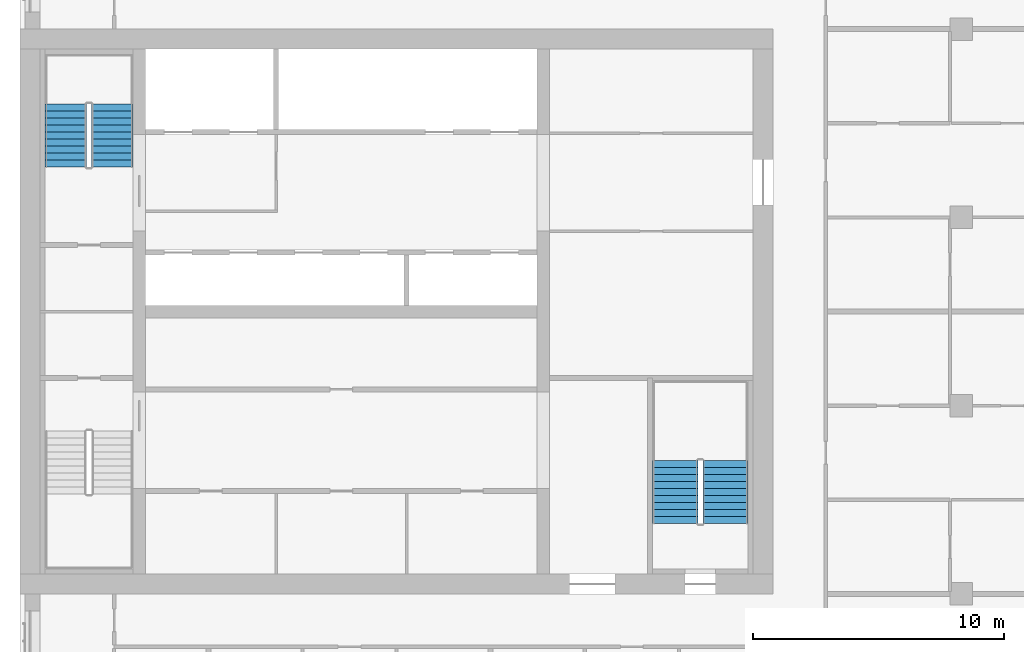
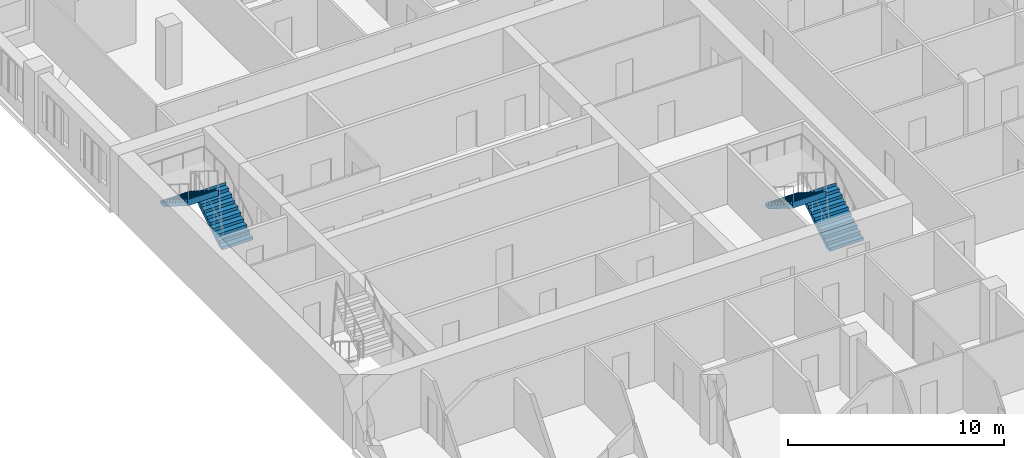
# One storey, part 13 of 14: 4 stair flights, 2 elements without a shape of their own.
"""IFC4 building model written with IfcOpenShell, lengths in metres."""

import ifcopenshell
import ifcopenshell.guid

model = None  # the IFC model being written
_history = None  # IfcOwnerHistory: only IFC2X3 demands one
_inside = {}  # id of a spatial element -> (the spatial element, [elements in it])
_under = {}  # id of a project, library or spatial element -> (it, [spatial elements below it])
_declared = {}  # id of a project -> (the project, [libraries it declares])
_typed = {}  # id of a type object -> (the type object, [elements of that type])
_made_of = {}  # id of a material, layer set ... -> (it, [elements and type objects made of it])


def new_model(schema):
    """Start an empty IFC model of exactly this schema.

    Asked for "IFC4X3", IfcOpenShell would pick the latest addendum, in which some entities
    have other attributes; the version numbers below select the first issue.
    IFC2X3 requires an IfcOwnerHistory on every rooted entity: one is made here for all.
    """
    global model, _history
    if schema == "IFC4X3":
        model = ifcopenshell.file(schema_version=(4, 3, 0, 0))
    else:
        model = ifcopenshell.file(schema=schema)
    _inside.clear()
    _under.clear()
    _declared.clear()
    _typed.clear()
    _made_of.clear()
    _history = None
    if model.schema == "IFC2X3":
        org = make("IfcOrganization", Name="unknown")
        user = make(
            "IfcPersonAndOrganization",
            ThePerson=make("IfcPerson", FamilyName="unknown"),
            TheOrganization=org,
        )
        app = make(
            "IfcApplication",
            ApplicationDeveloper=org,
            Version="unknown",
            ApplicationFullName="unknown",
            ApplicationIdentifier="unknown",
        )
        _history = make(
            "IfcOwnerHistory",
            OwningUser=user,
            OwningApplication=app,
            ChangeAction="ADDED",
            CreationDate=0,
        )
    return model


def make(cls, **values):
    """One entity of the class cls with the attributes given. An attribute that is None is left unset."""
    return model.create_entity(
        cls, **{name: value for name, value in values.items() if value is not None}
    )


def rooted(cls, **values):
    """An entity with a GlobalId (a new one), such as an element, a storey or a relation."""
    return make(cls, GlobalId=ifcopenshell.guid.new(), OwnerHistory=_history, **values)


def si_unit(unit_type, name, prefix=None):
    """IfcSIUnit, for example si_unit("LENGTHUNIT", "METRE", prefix="MILLI")."""
    return make("IfcSIUnit", UnitType=unit_type, Prefix=prefix, Name=name)


def assignment(units):
    """IfcUnitAssignment: the units of a project."""
    return None if units is None else make("IfcUnitAssignment", Units=units)


def point(xyz):
    """IfcCartesianPoint."""
    return None if xyz is None else make("IfcCartesianPoint", Coordinates=xyz)


def direction(xyz):
    """IfcDirection."""
    return None if xyz is None else make("IfcDirection", DirectionRatios=xyz)


def frame(location, z_axis=None, x_axis=None):
    """IfcAxis2Placement3D, a coordinate frame: its origin and axes. An axis left out is left unset."""
    return make(
        "IfcAxis2Placement3D",
        Location=point(location),
        Axis=direction(z_axis),
        RefDirection=direction(x_axis),
    )


def origin():
    """The frame at (0, 0, 0) with its axes left unset."""
    return frame((0.0, 0.0, 0.0))


def place(relative_to, where):
    """IfcLocalPlacement: puts the frame where relative to a parent placement (None: the world)."""
    return make(
        "IfcLocalPlacement", PlacementRelTo=relative_to, RelativePlacement=where
    )


def context(
    kind, dimensions, precision=None, world=None, true_north=None, identifier=None
):
    """IfcGeometricRepresentationContext, for example the 3D "Model" context."""
    return make(
        "IfcGeometricRepresentationContext",
        ContextIdentifier=identifier,
        ContextType=kind,
        CoordinateSpaceDimension=dimensions,
        Precision=precision,
        WorldCoordinateSystem=world,
        TrueNorth=true_north,
    )


def subcontext(parent, identifier, kind, view, scale=None):
    """IfcGeometricRepresentationSubContext, for example "Body" below "Model"."""
    return make(
        "IfcGeometricRepresentationSubContext",
        ContextIdentifier=identifier,
        ContextType=kind,
        ParentContext=parent,
        TargetScale=scale,
        TargetView=view,
    )


def project(units=None, contexts=None):
    """IfcProject with its units and contexts."""
    return rooted(
        "IfcProject",
        Name="project",
        RepresentationContexts=contexts,
        UnitsInContext=assignment(units),
    )


def spatial(cls, under=None, at=None, **own):
    """A site, building, storey or space (cls), placed at a placement, below another one or the project."""
    s = rooted(cls, ObjectPlacement=at, **own)
    if under is not None:
        _under.setdefault(under.id(), (under, []))[1].append(s)
    return s


def polyline(points):
    """IfcPolyline through the points."""
    return make("IfcPolyline", Points=[point(p) for p in points])


def outline(outer, holes=None, kind="AREA"):
    """IfcArbitraryClosedProfileDef: a profile drawn as a closed curve; with holes, ...WithVoids."""
    if holes is None:
        return make("IfcArbitraryClosedProfileDef", ProfileType=kind, OuterCurve=outer)
    return make(
        "IfcArbitraryProfileDefWithVoids",
        ProfileType=kind,
        OuterCurve=outer,
        InnerCurves=holes,
    )


def extrude(swept, where, along, depth):
    """IfcExtrudedAreaSolid: the profile swept, set in the frame where, extruded along a direction by depth."""
    return make(
        "IfcExtrudedAreaSolid",
        SweptArea=swept,
        Position=where,
        ExtrudedDirection=direction(along),
        Depth=depth,
    )


def shape(context_of_items, identifier, shape_type, items):
    """IfcShapeRepresentation: the items that make up one representation, for example the "Body"."""
    return make(
        "IfcShapeRepresentation",
        ContextOfItems=context_of_items,
        RepresentationIdentifier=identifier,
        RepresentationType=shape_type,
        Items=items,
    )


def material(Name=None, Category=None):
    """IfcMaterial."""
    return make("IfcMaterial", Name=Name, Category=Category)


def made_of(thing, what):
    """Note that an element or type object is made of a material, layer set ...; save() writes the relation."""
    if what is not None:
        _made_of.setdefault(what.id(), (what, []))[1].append(thing)
    return thing


def type_object(cls, material=None, **own):
    """A type object (cls), such as IfcWallType, which elements share."""
    return made_of(rooted(cls, **own), material)


def element(
    cls,
    number,
    at=None,
    inside=None,
    cuts=None,
    type_object=None,
    material=None,
    context=None,
    identifier="Body",
    shape_type=None,
    held_by="IfcProductDefinitionShape",
    body=None,
    shapes=None,
    **own,
):
    """One element of the class cls, such as IfcWall. Its Tag is "e" and its number.

    at: its placement. inside: the storey or other place that contains it. cuts: it is an
    opening in that element (IfcRelVoidsElement). A single representation is given by context,
    identifier, shape_type and body (its items); several are given by shapes. held_by: the class
    of the entity that holds the representations. save() writes the other relations.
    """
    e = rooted(cls, Tag="e%d" % number, ObjectPlacement=at, **own)
    if body is not None:
        shapes = [shape(context, identifier, shape_type, body)]
    if shapes is not None:
        e.Representation = make(held_by, Representations=shapes)
    if inside is not None:
        _inside.setdefault(inside.id(), (inside, []))[1].append(e)
    if cuts is not None:
        rooted(
            "IfcRelVoidsElement", RelatingBuildingElement=cuts, RelatedOpeningElement=e
        )
    if type_object is not None:
        _typed.setdefault(type_object.id(), (type_object, []))[1].append(e)
    return made_of(e, material)


def aggregate(whole, parts):
    """IfcRelAggregates: a whole, such as a stair, and the parts it consists of."""
    return rooted("IfcRelAggregates", RelatingObject=whole, RelatedObjects=parts)


def save(model, path):
    """Write the relations noted so far, then the file.

    IfcRelAggregates (storeys below a building ...), IfcRelContainedInSpatialStructure (elements
    in a storey), IfcRelDefinesByType, IfcRelAssociatesMaterial and IfcRelDeclares: one each for
    every whole, place, type object, material and project.
    """
    for whole, parts in _under.values():
        aggregate(whole, parts)
    for where, things in _inside.values():
        rooted(
            "IfcRelContainedInSpatialStructure",
            RelatedElements=things,
            RelatingStructure=where,
        )
    for kind, things in _typed.values():
        rooted("IfcRelDefinesByType", RelatedObjects=things, RelatingType=kind)
    for what, things in _made_of.values():
        rooted("IfcRelAssociatesMaterial", RelatedObjects=things, RelatingMaterial=what)
    for by, libraries in _declared.values():
        rooted("IfcRelDeclares", RelatingContext=by, RelatedDefinitions=libraries)
    model.write(path)


model = new_model("IFC4")

# Units and contexts
model_context = context("Model", 3, precision=1e-05, world=origin(), true_north=direction((0.0, 1.0)))
body_context = subcontext(model_context, "Body", "Model", "MODEL_VIEW")
ifc_project = project(units=[si_unit("LENGTHUNIT", "METRE"), si_unit("AREAUNIT", "SQUARE_METRE"), si_unit("VOLUMEUNIT", "CUBIC_METRE"), si_unit("PLANEANGLEUNIT", "RADIAN"), si_unit("MASSUNIT", "GRAM", prefix="KILO")], contexts=[model_context])

# Site, building, storey
site_placement = place(None, origin())
site = spatial("IfcSite", under=ifc_project, at=site_placement, CompositionType="ELEMENT")
building_placement = place(site_placement, origin())
building = spatial("IfcBuilding", under=site, at=building_placement, Name="Tamorin Gate", CompositionType="ELEMENT")
storey_placement = place(building_placement, frame((0.0, 0.0, 193.199951171875)))
storey = spatial("IfcBuildingStorey", under=building, at=storey_placement, Name="L47", CompositionType="ELEMENT", Elevation=193.199951171875)

# Stair, stair flights
ifc_material = material(Name="Concrete C40/50", Category="concrete")
stair_type = type_object("IfcStairType", Name="Exit stair", PredefinedType="HALF_TURN_STAIR", material=ifc_material)
stair_1_placement = place(storey_placement, origin())
stair_1 = element("IfcStair", 1, at=stair_1_placement, inside=storey, type_object=stair_type, Name="L47 stair ST2", PredefinedType="HALF_TURN_STAIR")
stair_flight_type = type_object("IfcStairFlightType", Name="Exit stair flight", PredefinedType="STRAIGHT", material=ifc_material)
stair_flight_1_placement = place(storey_placement, frame((33.675048828125, 77.0, 0.0), z_axis=(0.0, 0.0, 1.0), x_axis=(0.0, 1.0, 0.0)))
stair_flight_1 = element("IfcStairFlight", 2, at=stair_flight_1_placement, type_object=stair_flight_type, Name="ST2 flight 1", NumberOfRisers=10, NumberOfTreads=9, PredefinedType="STRAIGHT", RiserHeight=0.175, TreadLength=0.28, context=body_context, shape_type="SweptSolid", body=[
    extrude(outline(polyline([(-0.00048828125, 0.0), (-0.00048828125, 0.001708984375), (-0.00048828125, 0.00341796875), (-0.00048828125, 0.005126953125), (-0.00048828125, 0.0068359375), (-0.00048828125, 0.008544921875), (-0.00048828125, 0.010498046875), (-0.00048828125, 0.01220703125), (-0.00048828125, 0.013916015625), (-0.00048828125, 0.015625), (-0.00048828125, 0.017333984375), (-0.00048828125, 0.01904296875), (-0.00048828125, 0.020751953125), (-0.00048828125, 0.0224609375), (-0.00048828125, 0.024169921875), (-0.00048828125, 0.02587890625), (-0.00048828125, 0.02783203125), (-0.00048828125, 0.029541015625), (-0.00048828125, 0.03125), (-0.00048828125, 0.032958984375), (-0.00048828125, 0.03466796875), (-0.00048828125, 0.036376953125), (-0.00048828125, 0.0380859375), (-0.00048828125, 0.039794921875), (-0.00048828125, 0.04150390625), (-0.00048828125, 0.043212890625), (-0.00048828125, 0.045166015625), (-0.00048828125, 0.046875), (-0.00048828125, 0.048583984375), (-0.00048828125, 0.05029296875), (-0.00048828125, 0.052001953125), (-0.00048828125, 0.0537109375), (-0.00048828125, 0.055419921875), (-0.00048828125, 0.05712890625), (-0.00048828125, 0.058837890625), (-0.00048828125, 0.060546875), (-0.00048828125, 0.062255859375), (-0.00048828125, 0.064208984375), (-0.00048828125, 0.06591796875), (-0.00048828125, 0.067626953125), (-0.00048828125, 0.0693359375), (-0.00048828125, 0.071044921875), (-0.00048828125, 0.07275390625), (-0.00048828125, 0.074462890625), (-0.00048828125, 0.076171875), (-0.00048828125, 0.077880859375), (-0.00048828125, 0.07958984375), (-0.00048828125, 0.08154296875), (-0.00048828125, 0.083251953125), (-0.00048828125, 0.0849609375), (-0.00048828125, 0.086669921875), (-0.00048828125, 0.08837890625), (-0.00048828125, 0.090087890625), (-0.00048828125, 0.091796875), (-0.00048828125, 0.093505859375), (-0.00048828125, 0.09521484375), (-0.00048828125, 0.096923828125), (-0.00048828125, 0.098876953125), (-0.00048828125, 0.1005859375), (-0.00048828125, 0.102294921875), (-0.00048828125, 0.10400390625), (-0.00048828125, 0.105712890625), (-0.00048828125, 0.107421875), (-0.00048828125, 0.109130859375), (-0.00048828125, 0.11083984375), (-0.00048828125, 0.112548828125), (-0.00048828125, 0.1142578125), (-0.00048828125, 0.1162109375), (-0.00048828125, 0.117919921875), (-0.00048828125, 0.11962890625), (-0.00048828125, 0.121337890625), (-0.00048828125, 0.123046875), (-0.00048828125, 0.124755859375), (-0.00048828125, 0.12646484375), (-0.00048828125, 0.128173828125), (-0.00048828125, 0.1298828125), (-0.00048828125, 0.131591796875), (-0.00048828125, 0.13330078125), (-0.00048828125, 0.13525390625), (-0.00048828125, 0.136962890625), (-0.00048828125, 0.138671875), (-0.00048828125, 0.140380859375), (-0.00048828125, 0.14208984375), (-0.00048828125, 0.143798828125), (-0.00048828125, 0.1455078125), (-0.00048828125, 0.147216796875), (-0.00048828125, 0.14892578125), (-0.00048828125, 0.150634765625), (-0.00048828125, 0.152587890625), (-0.00048828125, 0.154296875), (-0.00048828125, 0.156005859375), (-0.00048828125, 0.15771484375), (-0.00048828125, 0.159423828125), (-0.00048828125, 0.1611328125), (-0.00048828125, 0.162841796875), (-0.00048828125, 0.16455078125), (-0.00048828125, 0.166259765625), (-0.00048828125, 0.16796875), (-0.00048828125, 0.169921875), (-0.00048828125, 0.171630859375), (-0.00048828125, 0.17333984375), (-0.00048828125, 0.175048828125), (0.280029296875, 0.175048828125), (0.280029296875, 0.35009765625), (0.56005859375, 0.35009765625), (0.56005859375, 0.52490234375), (0.840087890625, 0.52490234375), (0.840087890625, 0.699951171875), (1.1201171875, 0.699951171875), (1.1201171875, 0.875), (1.39990234375, 0.875), (1.39990234375, 1.050048828125), (1.679931640625, 1.050048828125), (1.679931640625, 1.22509765625), (1.9599609375, 1.22509765625), (1.9599609375, 1.39990234375), (2.239990234375, 1.39990234375), (2.239990234375, 1.574951171875), (2.52001953125, 1.574951171875), (2.52001953125, 1.75), (2.5205078125, 1.75), (2.5205078125, 1.74658203125), (2.5205078125, 1.742919921875), (2.5205078125, 1.739501953125), (2.5205078125, 1.736083984375), (2.5205078125, 1.732666015625), (2.5205078125, 1.72900390625), (2.5205078125, 1.7255859375), (2.5205078125, 1.72216796875), (2.5205078125, 1.71875), (2.5205078125, 1.715087890625), (2.5205078125, 1.711669921875), (2.5205078125, 1.708251953125), (2.5205078125, 1.704833984375), (2.5205078125, 1.701171875), (2.5205078125, 1.69775390625), (2.5205078125, 1.6943359375), (2.5205078125, 1.690673828125), (2.5205078125, 1.687255859375), (2.5205078125, 1.683837890625), (2.5205078125, 1.680419921875), (2.5205078125, 1.6767578125), (2.5205078125, 1.67333984375), (2.5205078125, 1.669921875), (2.5205078125, 1.66650390625), (2.5205078125, 1.662841796875), (2.5205078125, 1.659423828125), (2.5205078125, 1.656005859375), (2.5205078125, 1.652587890625), (2.5205078125, 1.64892578125), (2.5205078125, 1.6455078125), (2.5205078125, 1.64208984375), (2.5205078125, 1.638427734375), (2.5205078125, 1.635009765625), (2.5205078125, 1.631591796875), (2.5205078125, 1.628173828125), (2.5205078125, 1.62451171875), (2.5205078125, 1.62109375), (2.5205078125, 1.61767578125), (2.5205078125, 1.6142578125), (2.5205078125, 1.610595703125), (2.5205078125, 1.607177734375), (2.5205078125, 1.603759765625), (2.5205078125, 1.600341796875), (2.5205078125, 1.5966796875), (2.5205078125, 1.59326171875), (2.5205078125, 1.58984375), (2.5205078125, 1.58642578125), (2.5205078125, 1.582763671875), (2.5205078125, 1.579345703125), (2.5205078125, 1.575927734375), (2.5205078125, 1.572265625), (2.5205078125, 1.56884765625), (2.5205078125, 1.5654296875), (2.5205078125, 1.56201171875), (2.5205078125, 1.558349609375), (2.5205078125, 1.554931640625), (2.5205078125, 1.551513671875), (2.5205078125, 1.548095703125), (2.5205078125, 1.54443359375), (2.5205078125, 1.541015625), (2.5205078125, 1.53759765625), (2.5205078125, 1.5341796875), (2.5205078125, 1.530517578125), (2.5205078125, 1.527099609375), (2.5205078125, 1.523681640625), (2.5205078125, 1.52001953125), (2.5205078125, 1.5166015625), (2.5205078125, 1.51318359375), (2.5205078125, 1.509765625), (2.5205078125, 1.506103515625), (2.5205078125, 1.502685546875), (2.5205078125, 1.499267578125), (2.5205078125, 1.495849609375), (2.5205078125, 1.4921875), (2.5205078125, 1.48876953125), (2.5205078125, 1.4853515625), (2.5205078125, 1.48193359375), (2.5205078125, 1.478271484375), (2.5205078125, 1.474853515625), (2.5205078125, 1.471435546875), (2.5205078125, 1.4677734375), (2.5205078125, 1.46435546875), (2.5205078125, 1.4609375), (2.5205078125, 1.45751953125), (2.5205078125, 1.453857421875), (2.5205078125, 1.450439453125), (2.5205078125, 1.447021484375), (2.5205078125, 1.443603515625), (2.5205078125, 1.43994140625), (2.5205078125, 1.4365234375), (2.5205078125, 1.43310546875), (2.5205078125, 1.4296875), (2.5205078125, 1.426025390625), (2.5205078125, 1.422607421875), (2.5205078125, 1.419189453125), (2.5205078125, 1.41552734375), (2.5205078125, 1.412109375), (2.5205078125, 1.40869140625), (2.5205078125, 1.4052734375), (2.5205078125, 1.401611328125), (2.5205078125, 1.398193359375), (2.52001953125, 1.398193359375), (0.28271484375, 0.0), (-0.00048828125, 0.0)])), frame((0.0, 0.824951171875, 0.0), z_axis=(0.0, -1.0, 0.0), x_axis=(1.0, 0.0, 0.0)), (0.0, 0.0, 1.0), 1.64990234375),
])
stair_flight_2_placement = place(storey_placement, frame((31.824951171875, 79.52001953125, 1.75), z_axis=(0.0, 0.0, 1.0), x_axis=(0.0, -1.0, 0.0)))
stair_flight_2 = element("IfcStairFlight", 3, at=stair_flight_2_placement, type_object=stair_flight_type, Name="ST2 flight 2", NumberOfRisers=10, NumberOfTreads=9, PredefinedType="STRAIGHT", RiserHeight=0.175, TreadLength=0.28, context=body_context, shape_type="SweptSolid", body=[
    extrude(outline(polyline([(-0.00048828125, 0.0), (-0.00048828125, 0.001708984375), (-0.00048828125, 0.00341796875), (-0.00048828125, 0.005126953125), (-0.00048828125, 0.0068359375), (-0.00048828125, 0.008544921875), (-0.00048828125, 0.010498046875), (-0.00048828125, 0.01220703125), (-0.00048828125, 0.013916015625), (-0.00048828125, 0.015625), (-0.00048828125, 0.017333984375), (-0.00048828125, 0.01904296875), (-0.00048828125, 0.020751953125), (-0.00048828125, 0.0224609375), (-0.00048828125, 0.024169921875), (-0.00048828125, 0.02587890625), (-0.00048828125, 0.02783203125), (-0.00048828125, 0.029541015625), (-0.00048828125, 0.03125), (-0.00048828125, 0.032958984375), (-0.00048828125, 0.03466796875), (-0.00048828125, 0.036376953125), (-0.00048828125, 0.0380859375), (-0.00048828125, 0.039794921875), (-0.00048828125, 0.04150390625), (-0.00048828125, 0.043212890625), (-0.00048828125, 0.045166015625), (-0.00048828125, 0.046875), (-0.00048828125, 0.048583984375), (-0.00048828125, 0.05029296875), (-0.00048828125, 0.052001953125), (-0.00048828125, 0.0537109375), (-0.00048828125, 0.055419921875), (-0.00048828125, 0.05712890625), (-0.00048828125, 0.058837890625), (-0.00048828125, 0.060546875), (-0.00048828125, 0.062255859375), (-0.00048828125, 0.064208984375), (-0.00048828125, 0.06591796875), (-0.00048828125, 0.067626953125), (-0.00048828125, 0.0693359375), (-0.00048828125, 0.071044921875), (-0.00048828125, 0.07275390625), (-0.00048828125, 0.074462890625), (-0.00048828125, 0.076171875), (-0.00048828125, 0.077880859375), (-0.00048828125, 0.07958984375), (-0.00048828125, 0.08154296875), (-0.00048828125, 0.083251953125), (-0.00048828125, 0.0849609375), (-0.00048828125, 0.086669921875), (-0.00048828125, 0.08837890625), (-0.00048828125, 0.090087890625), (-0.00048828125, 0.091796875), (-0.00048828125, 0.093505859375), (-0.00048828125, 0.09521484375), (-0.00048828125, 0.096923828125), (-0.00048828125, 0.098876953125), (-0.00048828125, 0.1005859375), (-0.00048828125, 0.102294921875), (-0.00048828125, 0.10400390625), (-0.00048828125, 0.105712890625), (-0.00048828125, 0.107421875), (-0.00048828125, 0.109130859375), (-0.00048828125, 0.11083984375), (-0.00048828125, 0.112548828125), (-0.00048828125, 0.1142578125), (-0.00048828125, 0.1162109375), (-0.00048828125, 0.117919921875), (-0.00048828125, 0.11962890625), (-0.00048828125, 0.121337890625), (-0.00048828125, 0.123046875), (-0.00048828125, 0.124755859375), (-0.00048828125, 0.12646484375), (-0.00048828125, 0.128173828125), (-0.00048828125, 0.1298828125), (-0.00048828125, 0.131591796875), (-0.00048828125, 0.13330078125), (-0.00048828125, 0.13525390625), (-0.00048828125, 0.136962890625), (-0.00048828125, 0.138671875), (-0.00048828125, 0.140380859375), (-0.00048828125, 0.14208984375), (-0.00048828125, 0.143798828125), (-0.00048828125, 0.1455078125), (-0.00048828125, 0.147216796875), (-0.00048828125, 0.14892578125), (-0.00048828125, 0.150634765625), (-0.00048828125, 0.152587890625), (-0.00048828125, 0.154296875), (-0.00048828125, 0.156005859375), (-0.00048828125, 0.15771484375), (-0.00048828125, 0.159423828125), (-0.00048828125, 0.1611328125), (-0.00048828125, 0.162841796875), (-0.00048828125, 0.16455078125), (-0.00048828125, 0.166259765625), (-0.00048828125, 0.16796875), (-0.00048828125, 0.169921875), (-0.00048828125, 0.171630859375), (-0.00048828125, 0.17333984375), (-0.00048828125, 0.175048828125), (0.280029296875, 0.175048828125), (0.280029296875, 0.35009765625), (0.56005859375, 0.35009765625), (0.56005859375, 0.52490234375), (0.840087890625, 0.52490234375), (0.840087890625, 0.699951171875), (1.1201171875, 0.699951171875), (1.1201171875, 0.875), (1.39990234375, 0.875), (1.39990234375, 1.050048828125), (1.679931640625, 1.050048828125), (1.679931640625, 1.22509765625), (1.9599609375, 1.22509765625), (1.9599609375, 1.39990234375), (2.239990234375, 1.39990234375), (2.239990234375, 1.574951171875), (2.52001953125, 1.574951171875), (2.52001953125, 1.75), (2.5205078125, 1.75), (2.5205078125, 1.74658203125), (2.5205078125, 1.742919921875), (2.5205078125, 1.739501953125), (2.5205078125, 1.736083984375), (2.5205078125, 1.732666015625), (2.5205078125, 1.72900390625), (2.5205078125, 1.7255859375), (2.5205078125, 1.72216796875), (2.5205078125, 1.71875), (2.5205078125, 1.715087890625), (2.5205078125, 1.711669921875), (2.5205078125, 1.708251953125), (2.5205078125, 1.704833984375), (2.5205078125, 1.701171875), (2.5205078125, 1.69775390625), (2.5205078125, 1.6943359375), (2.5205078125, 1.690673828125), (2.5205078125, 1.687255859375), (2.5205078125, 1.683837890625), (2.5205078125, 1.680419921875), (2.5205078125, 1.6767578125), (2.5205078125, 1.67333984375), (2.5205078125, 1.669921875), (2.5205078125, 1.66650390625), (2.5205078125, 1.662841796875), (2.5205078125, 1.659423828125), (2.5205078125, 1.656005859375), (2.5205078125, 1.652587890625), (2.5205078125, 1.64892578125), (2.5205078125, 1.6455078125), (2.5205078125, 1.64208984375), (2.5205078125, 1.638427734375), (2.5205078125, 1.635009765625), (2.5205078125, 1.631591796875), (2.5205078125, 1.628173828125), (2.5205078125, 1.62451171875), (2.5205078125, 1.62109375), (2.5205078125, 1.61767578125), (2.5205078125, 1.6142578125), (2.5205078125, 1.610595703125), (2.5205078125, 1.607177734375), (2.5205078125, 1.603759765625), (2.5205078125, 1.600341796875), (2.5205078125, 1.5966796875), (2.5205078125, 1.59326171875), (2.5205078125, 1.58984375), (2.5205078125, 1.58642578125), (2.5205078125, 1.582763671875), (2.5205078125, 1.579345703125), (2.5205078125, 1.575927734375), (2.5205078125, 1.572265625), (2.5205078125, 1.56884765625), (2.5205078125, 1.5654296875), (2.5205078125, 1.56201171875), (2.5205078125, 1.558349609375), (2.5205078125, 1.554931640625), (2.5205078125, 1.551513671875), (2.5205078125, 1.548095703125), (2.5205078125, 1.54443359375), (2.5205078125, 1.541015625), (2.5205078125, 1.53759765625), (2.5205078125, 1.5341796875), (2.5205078125, 1.530517578125), (2.5205078125, 1.527099609375), (2.5205078125, 1.523681640625), (2.5205078125, 1.52001953125), (2.5205078125, 1.5166015625), (2.5205078125, 1.51318359375), (2.5205078125, 1.509765625), (2.5205078125, 1.506103515625), (2.5205078125, 1.502685546875), (2.5205078125, 1.499267578125), (2.5205078125, 1.495849609375), (2.5205078125, 1.4921875), (2.5205078125, 1.48876953125), (2.5205078125, 1.4853515625), (2.5205078125, 1.48193359375), (2.5205078125, 1.478271484375), (2.5205078125, 1.474853515625), (2.5205078125, 1.471435546875), (2.5205078125, 1.4677734375), (2.5205078125, 1.46435546875), (2.5205078125, 1.4609375), (2.5205078125, 1.45751953125), (2.5205078125, 1.453857421875), (2.5205078125, 1.450439453125), (2.5205078125, 1.447021484375), (2.5205078125, 1.443603515625), (2.5205078125, 1.43994140625), (2.5205078125, 1.4365234375), (2.5205078125, 1.43310546875), (2.5205078125, 1.4296875), (2.5205078125, 1.426025390625), (2.5205078125, 1.422607421875), (2.5205078125, 1.419189453125), (2.5205078125, 1.41552734375), (2.5205078125, 1.412109375), (2.5205078125, 1.40869140625), (2.5205078125, 1.4052734375), (2.5205078125, 1.401611328125), (2.5205078125, 1.398193359375), (2.52001953125, 1.398193359375), (0.28271484375, 0.0), (-0.00048828125, 0.0)])), frame((0.0, 0.824951171875, 0.0), z_axis=(0.0, -1.0, 0.0), x_axis=(1.0, 0.0, 0.0)), (0.0, 0.0, 1.0), 1.64990234375),
])
aggregate(stair_1, [stair_flight_1, stair_flight_2])

stair_2_placement = place(storey_placement, origin())
stair_2 = element("IfcStair", 4, at=stair_2_placement, inside=storey, type_object=stair_type, Name="L47 stair ST3", PredefinedType="HALF_TURN_STAIR")
stair_flight_3_placement = place(storey_placement, frame((58.10009765625, 62.800048828125, 0.0), z_axis=(0.0, 0.0, 1.0), x_axis=(0.0, 1.0, 0.0)))
stair_flight_3 = element("IfcStairFlight", 5, at=stair_flight_3_placement, type_object=stair_flight_type, Name="ST3 flight 1", NumberOfRisers=10, NumberOfTreads=9, PredefinedType="STRAIGHT", RiserHeight=0.175, TreadLength=0.28, context=body_context, shape_type="SweptSolid", body=[
    extrude(outline(polyline([(-0.00048828125, 0.0), (-0.00048828125, 0.001708984375), (-0.00048828125, 0.00341796875), (-0.00048828125, 0.005126953125), (-0.00048828125, 0.0068359375), (-0.00048828125, 0.008544921875), (-0.00048828125, 0.010498046875), (-0.00048828125, 0.01220703125), (-0.00048828125, 0.013916015625), (-0.00048828125, 0.015625), (-0.00048828125, 0.017333984375), (-0.00048828125, 0.01904296875), (-0.00048828125, 0.020751953125), (-0.00048828125, 0.0224609375), (-0.00048828125, 0.024169921875), (-0.00048828125, 0.02587890625), (-0.00048828125, 0.02783203125), (-0.00048828125, 0.029541015625), (-0.00048828125, 0.03125), (-0.00048828125, 0.032958984375), (-0.00048828125, 0.03466796875), (-0.00048828125, 0.036376953125), (-0.00048828125, 0.0380859375), (-0.00048828125, 0.039794921875), (-0.00048828125, 0.04150390625), (-0.00048828125, 0.043212890625), (-0.00048828125, 0.045166015625), (-0.00048828125, 0.046875), (-0.00048828125, 0.048583984375), (-0.00048828125, 0.05029296875), (-0.00048828125, 0.052001953125), (-0.00048828125, 0.0537109375), (-0.00048828125, 0.055419921875), (-0.00048828125, 0.05712890625), (-0.00048828125, 0.058837890625), (-0.00048828125, 0.060546875), (-0.00048828125, 0.062255859375), (-0.00048828125, 0.064208984375), (-0.00048828125, 0.06591796875), (-0.00048828125, 0.067626953125), (-0.00048828125, 0.0693359375), (-0.00048828125, 0.071044921875), (-0.00048828125, 0.07275390625), (-0.00048828125, 0.074462890625), (-0.00048828125, 0.076171875), (-0.00048828125, 0.077880859375), (-0.00048828125, 0.07958984375), (-0.00048828125, 0.08154296875), (-0.00048828125, 0.083251953125), (-0.00048828125, 0.0849609375), (-0.00048828125, 0.086669921875), (-0.00048828125, 0.08837890625), (-0.00048828125, 0.090087890625), (-0.00048828125, 0.091796875), (-0.00048828125, 0.093505859375), (-0.00048828125, 0.09521484375), (-0.00048828125, 0.096923828125), (-0.00048828125, 0.098876953125), (-0.00048828125, 0.1005859375), (-0.00048828125, 0.102294921875), (-0.00048828125, 0.10400390625), (-0.00048828125, 0.105712890625), (-0.00048828125, 0.107421875), (-0.00048828125, 0.109130859375), (-0.00048828125, 0.11083984375), (-0.00048828125, 0.112548828125), (-0.00048828125, 0.1142578125), (-0.00048828125, 0.1162109375), (-0.00048828125, 0.117919921875), (-0.00048828125, 0.11962890625), (-0.00048828125, 0.121337890625), (-0.00048828125, 0.123046875), (-0.00048828125, 0.124755859375), (-0.00048828125, 0.12646484375), (-0.00048828125, 0.128173828125), (-0.00048828125, 0.1298828125), (-0.00048828125, 0.131591796875), (-0.00048828125, 0.13330078125), (-0.00048828125, 0.13525390625), (-0.00048828125, 0.136962890625), (-0.00048828125, 0.138671875), (-0.00048828125, 0.140380859375), (-0.00048828125, 0.14208984375), (-0.00048828125, 0.143798828125), (-0.00048828125, 0.1455078125), (-0.00048828125, 0.147216796875), (-0.00048828125, 0.14892578125), (-0.00048828125, 0.150634765625), (-0.00048828125, 0.152587890625), (-0.00048828125, 0.154296875), (-0.00048828125, 0.156005859375), (-0.00048828125, 0.15771484375), (-0.00048828125, 0.159423828125), (-0.00048828125, 0.1611328125), (-0.00048828125, 0.162841796875), (-0.00048828125, 0.16455078125), (-0.00048828125, 0.166259765625), (-0.00048828125, 0.16796875), (-0.00048828125, 0.169921875), (-0.00048828125, 0.171630859375), (-0.00048828125, 0.17333984375), (-0.00048828125, 0.175048828125), (0.280029296875, 0.175048828125), (0.280029296875, 0.35009765625), (0.56005859375, 0.35009765625), (0.56005859375, 0.52490234375), (0.840087890625, 0.52490234375), (0.840087890625, 0.699951171875), (1.1201171875, 0.699951171875), (1.1201171875, 0.875), (1.39990234375, 0.875), (1.39990234375, 1.050048828125), (1.679931640625, 1.050048828125), (1.679931640625, 1.22509765625), (1.9599609375, 1.22509765625), (1.9599609375, 1.39990234375), (2.239990234375, 1.39990234375), (2.239990234375, 1.574951171875), (2.52001953125, 1.574951171875), (2.52001953125, 1.75), (2.5205078125, 1.75), (2.5205078125, 1.74658203125), (2.5205078125, 1.742919921875), (2.5205078125, 1.739501953125), (2.5205078125, 1.736083984375), (2.5205078125, 1.732666015625), (2.5205078125, 1.72900390625), (2.5205078125, 1.7255859375), (2.5205078125, 1.72216796875), (2.5205078125, 1.71875), (2.5205078125, 1.715087890625), (2.5205078125, 1.711669921875), (2.5205078125, 1.708251953125), (2.5205078125, 1.704833984375), (2.5205078125, 1.701171875), (2.5205078125, 1.69775390625), (2.5205078125, 1.6943359375), (2.5205078125, 1.690673828125), (2.5205078125, 1.687255859375), (2.5205078125, 1.683837890625), (2.5205078125, 1.680419921875), (2.5205078125, 1.6767578125), (2.5205078125, 1.67333984375), (2.5205078125, 1.669921875), (2.5205078125, 1.66650390625), (2.5205078125, 1.662841796875), (2.5205078125, 1.659423828125), (2.5205078125, 1.656005859375), (2.5205078125, 1.652587890625), (2.5205078125, 1.64892578125), (2.5205078125, 1.6455078125), (2.5205078125, 1.64208984375), (2.5205078125, 1.638427734375), (2.5205078125, 1.635009765625), (2.5205078125, 1.631591796875), (2.5205078125, 1.628173828125), (2.5205078125, 1.62451171875), (2.5205078125, 1.62109375), (2.5205078125, 1.61767578125), (2.5205078125, 1.6142578125), (2.5205078125, 1.610595703125), (2.5205078125, 1.607177734375), (2.5205078125, 1.603759765625), (2.5205078125, 1.600341796875), (2.5205078125, 1.5966796875), (2.5205078125, 1.59326171875), (2.5205078125, 1.58984375), (2.5205078125, 1.58642578125), (2.5205078125, 1.582763671875), (2.5205078125, 1.579345703125), (2.5205078125, 1.575927734375), (2.5205078125, 1.572265625), (2.5205078125, 1.56884765625), (2.5205078125, 1.5654296875), (2.5205078125, 1.56201171875), (2.5205078125, 1.558349609375), (2.5205078125, 1.554931640625), (2.5205078125, 1.551513671875), (2.5205078125, 1.548095703125), (2.5205078125, 1.54443359375), (2.5205078125, 1.541015625), (2.5205078125, 1.53759765625), (2.5205078125, 1.5341796875), (2.5205078125, 1.530517578125), (2.5205078125, 1.527099609375), (2.5205078125, 1.523681640625), (2.5205078125, 1.52001953125), (2.5205078125, 1.5166015625), (2.5205078125, 1.51318359375), (2.5205078125, 1.509765625), (2.5205078125, 1.506103515625), (2.5205078125, 1.502685546875), (2.5205078125, 1.499267578125), (2.5205078125, 1.495849609375), (2.5205078125, 1.4921875), (2.5205078125, 1.48876953125), (2.5205078125, 1.4853515625), (2.5205078125, 1.48193359375), (2.5205078125, 1.478271484375), (2.5205078125, 1.474853515625), (2.5205078125, 1.471435546875), (2.5205078125, 1.4677734375), (2.5205078125, 1.46435546875), (2.5205078125, 1.4609375), (2.5205078125, 1.45751953125), (2.5205078125, 1.453857421875), (2.5205078125, 1.450439453125), (2.5205078125, 1.447021484375), (2.5205078125, 1.443603515625), (2.5205078125, 1.43994140625), (2.5205078125, 1.4365234375), (2.5205078125, 1.43310546875), (2.5205078125, 1.4296875), (2.5205078125, 1.426025390625), (2.5205078125, 1.422607421875), (2.5205078125, 1.419189453125), (2.5205078125, 1.41552734375), (2.5205078125, 1.412109375), (2.5205078125, 1.40869140625), (2.5205078125, 1.4052734375), (2.5205078125, 1.401611328125), (2.5205078125, 1.398193359375), (2.52001953125, 1.398193359375), (0.28271484375, 0.0), (-0.00048828125, 0.0)])), frame((0.0, 0.89990234375, 0.0), z_axis=(0.0, -1.0, 0.0), x_axis=(1.0, 0.0, 0.0)), (0.0, 0.0, 1.0), 1.800048828125),
])
stair_flight_4_placement = place(storey_placement, frame((56.10009765625, 65.320068359375, 1.75), z_axis=(0.0, 0.0, 1.0), x_axis=(0.0, -1.0, 0.0)))
stair_flight_4 = element("IfcStairFlight", 6, at=stair_flight_4_placement, type_object=stair_flight_type, Name="ST3 flight 2", NumberOfRisers=10, NumberOfTreads=9, PredefinedType="STRAIGHT", RiserHeight=0.175, TreadLength=0.28, context=body_context, shape_type="SweptSolid", body=[
    extrude(outline(polyline([(-0.00048828125, 0.0), (-0.00048828125, 0.001708984375), (-0.00048828125, 0.00341796875), (-0.00048828125, 0.005126953125), (-0.00048828125, 0.0068359375), (-0.00048828125, 0.008544921875), (-0.00048828125, 0.010498046875), (-0.00048828125, 0.01220703125), (-0.00048828125, 0.013916015625), (-0.00048828125, 0.015625), (-0.00048828125, 0.017333984375), (-0.00048828125, 0.01904296875), (-0.00048828125, 0.020751953125), (-0.00048828125, 0.0224609375), (-0.00048828125, 0.024169921875), (-0.00048828125, 0.02587890625), (-0.00048828125, 0.02783203125), (-0.00048828125, 0.029541015625), (-0.00048828125, 0.03125), (-0.00048828125, 0.032958984375), (-0.00048828125, 0.03466796875), (-0.00048828125, 0.036376953125), (-0.00048828125, 0.0380859375), (-0.00048828125, 0.039794921875), (-0.00048828125, 0.04150390625), (-0.00048828125, 0.043212890625), (-0.00048828125, 0.045166015625), (-0.00048828125, 0.046875), (-0.00048828125, 0.048583984375), (-0.00048828125, 0.05029296875), (-0.00048828125, 0.052001953125), (-0.00048828125, 0.0537109375), (-0.00048828125, 0.055419921875), (-0.00048828125, 0.05712890625), (-0.00048828125, 0.058837890625), (-0.00048828125, 0.060546875), (-0.00048828125, 0.062255859375), (-0.00048828125, 0.064208984375), (-0.00048828125, 0.06591796875), (-0.00048828125, 0.067626953125), (-0.00048828125, 0.0693359375), (-0.00048828125, 0.071044921875), (-0.00048828125, 0.07275390625), (-0.00048828125, 0.074462890625), (-0.00048828125, 0.076171875), (-0.00048828125, 0.077880859375), (-0.00048828125, 0.07958984375), (-0.00048828125, 0.08154296875), (-0.00048828125, 0.083251953125), (-0.00048828125, 0.0849609375), (-0.00048828125, 0.086669921875), (-0.00048828125, 0.08837890625), (-0.00048828125, 0.090087890625), (-0.00048828125, 0.091796875), (-0.00048828125, 0.093505859375), (-0.00048828125, 0.09521484375), (-0.00048828125, 0.096923828125), (-0.00048828125, 0.098876953125), (-0.00048828125, 0.1005859375), (-0.00048828125, 0.102294921875), (-0.00048828125, 0.10400390625), (-0.00048828125, 0.105712890625), (-0.00048828125, 0.107421875), (-0.00048828125, 0.109130859375), (-0.00048828125, 0.11083984375), (-0.00048828125, 0.112548828125), (-0.00048828125, 0.1142578125), (-0.00048828125, 0.1162109375), (-0.00048828125, 0.117919921875), (-0.00048828125, 0.11962890625), (-0.00048828125, 0.121337890625), (-0.00048828125, 0.123046875), (-0.00048828125, 0.124755859375), (-0.00048828125, 0.12646484375), (-0.00048828125, 0.128173828125), (-0.00048828125, 0.1298828125), (-0.00048828125, 0.131591796875), (-0.00048828125, 0.13330078125), (-0.00048828125, 0.13525390625), (-0.00048828125, 0.136962890625), (-0.00048828125, 0.138671875), (-0.00048828125, 0.140380859375), (-0.00048828125, 0.14208984375), (-0.00048828125, 0.143798828125), (-0.00048828125, 0.1455078125), (-0.00048828125, 0.147216796875), (-0.00048828125, 0.14892578125), (-0.00048828125, 0.150634765625), (-0.00048828125, 0.152587890625), (-0.00048828125, 0.154296875), (-0.00048828125, 0.156005859375), (-0.00048828125, 0.15771484375), (-0.00048828125, 0.159423828125), (-0.00048828125, 0.1611328125), (-0.00048828125, 0.162841796875), (-0.00048828125, 0.16455078125), (-0.00048828125, 0.166259765625), (-0.00048828125, 0.16796875), (-0.00048828125, 0.169921875), (-0.00048828125, 0.171630859375), (-0.00048828125, 0.17333984375), (-0.00048828125, 0.175048828125), (0.280029296875, 0.175048828125), (0.280029296875, 0.35009765625), (0.56005859375, 0.35009765625), (0.56005859375, 0.52490234375), (0.840087890625, 0.52490234375), (0.840087890625, 0.699951171875), (1.1201171875, 0.699951171875), (1.1201171875, 0.875), (1.39990234375, 0.875), (1.39990234375, 1.050048828125), (1.679931640625, 1.050048828125), (1.679931640625, 1.22509765625), (1.9599609375, 1.22509765625), (1.9599609375, 1.39990234375), (2.239990234375, 1.39990234375), (2.239990234375, 1.574951171875), (2.52001953125, 1.574951171875), (2.52001953125, 1.75), (2.5205078125, 1.75), (2.5205078125, 1.74658203125), (2.5205078125, 1.742919921875), (2.5205078125, 1.739501953125), (2.5205078125, 1.736083984375), (2.5205078125, 1.732666015625), (2.5205078125, 1.72900390625), (2.5205078125, 1.7255859375), (2.5205078125, 1.72216796875), (2.5205078125, 1.71875), (2.5205078125, 1.715087890625), (2.5205078125, 1.711669921875), (2.5205078125, 1.708251953125), (2.5205078125, 1.704833984375), (2.5205078125, 1.701171875), (2.5205078125, 1.69775390625), (2.5205078125, 1.6943359375), (2.5205078125, 1.690673828125), (2.5205078125, 1.687255859375), (2.5205078125, 1.683837890625), (2.5205078125, 1.680419921875), (2.5205078125, 1.6767578125), (2.5205078125, 1.67333984375), (2.5205078125, 1.669921875), (2.5205078125, 1.66650390625), (2.5205078125, 1.662841796875), (2.5205078125, 1.659423828125), (2.5205078125, 1.656005859375), (2.5205078125, 1.652587890625), (2.5205078125, 1.64892578125), (2.5205078125, 1.6455078125), (2.5205078125, 1.64208984375), (2.5205078125, 1.638427734375), (2.5205078125, 1.635009765625), (2.5205078125, 1.631591796875), (2.5205078125, 1.628173828125), (2.5205078125, 1.62451171875), (2.5205078125, 1.62109375), (2.5205078125, 1.61767578125), (2.5205078125, 1.6142578125), (2.5205078125, 1.610595703125), (2.5205078125, 1.607177734375), (2.5205078125, 1.603759765625), (2.5205078125, 1.600341796875), (2.5205078125, 1.5966796875), (2.5205078125, 1.59326171875), (2.5205078125, 1.58984375), (2.5205078125, 1.58642578125), (2.5205078125, 1.582763671875), (2.5205078125, 1.579345703125), (2.5205078125, 1.575927734375), (2.5205078125, 1.572265625), (2.5205078125, 1.56884765625), (2.5205078125, 1.5654296875), (2.5205078125, 1.56201171875), (2.5205078125, 1.558349609375), (2.5205078125, 1.554931640625), (2.5205078125, 1.551513671875), (2.5205078125, 1.548095703125), (2.5205078125, 1.54443359375), (2.5205078125, 1.541015625), (2.5205078125, 1.53759765625), (2.5205078125, 1.5341796875), (2.5205078125, 1.530517578125), (2.5205078125, 1.527099609375), (2.5205078125, 1.523681640625), (2.5205078125, 1.52001953125), (2.5205078125, 1.5166015625), (2.5205078125, 1.51318359375), (2.5205078125, 1.509765625), (2.5205078125, 1.506103515625), (2.5205078125, 1.502685546875), (2.5205078125, 1.499267578125), (2.5205078125, 1.495849609375), (2.5205078125, 1.4921875), (2.5205078125, 1.48876953125), (2.5205078125, 1.4853515625), (2.5205078125, 1.48193359375), (2.5205078125, 1.478271484375), (2.5205078125, 1.474853515625), (2.5205078125, 1.471435546875), (2.5205078125, 1.4677734375), (2.5205078125, 1.46435546875), (2.5205078125, 1.4609375), (2.5205078125, 1.45751953125), (2.5205078125, 1.453857421875), (2.5205078125, 1.450439453125), (2.5205078125, 1.447021484375), (2.5205078125, 1.443603515625), (2.5205078125, 1.43994140625), (2.5205078125, 1.4365234375), (2.5205078125, 1.43310546875), (2.5205078125, 1.4296875), (2.5205078125, 1.426025390625), (2.5205078125, 1.422607421875), (2.5205078125, 1.419189453125), (2.5205078125, 1.41552734375), (2.5205078125, 1.412109375), (2.5205078125, 1.40869140625), (2.5205078125, 1.4052734375), (2.5205078125, 1.401611328125), (2.5205078125, 1.398193359375), (2.52001953125, 1.398193359375), (0.28271484375, 0.0), (-0.00048828125, 0.0)])), frame((0.0, 0.89990234375, 0.0), z_axis=(0.0, -1.0, 0.0), x_axis=(1.0, 0.0, 0.0)), (0.0, 0.0, 1.0), 1.800048828125),
])
aggregate(stair_2, [stair_flight_3, stair_flight_4])

save(model, "model.ifc")
